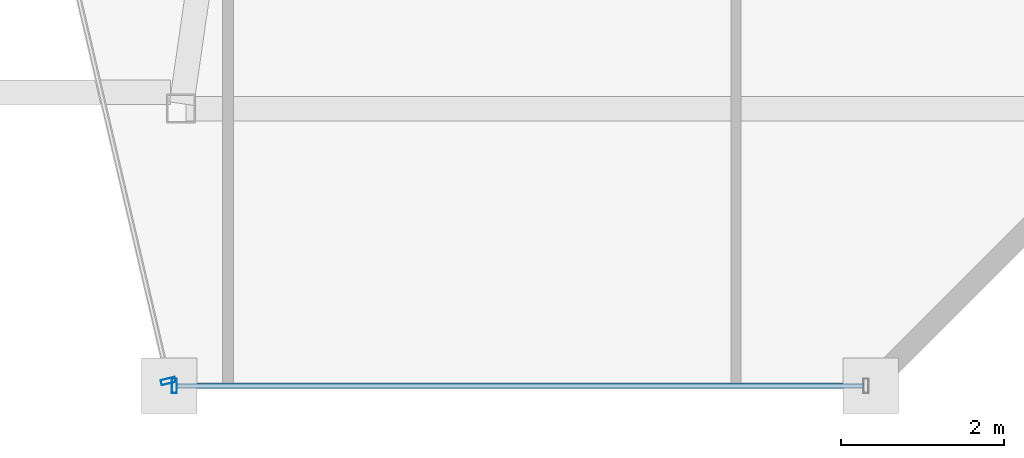
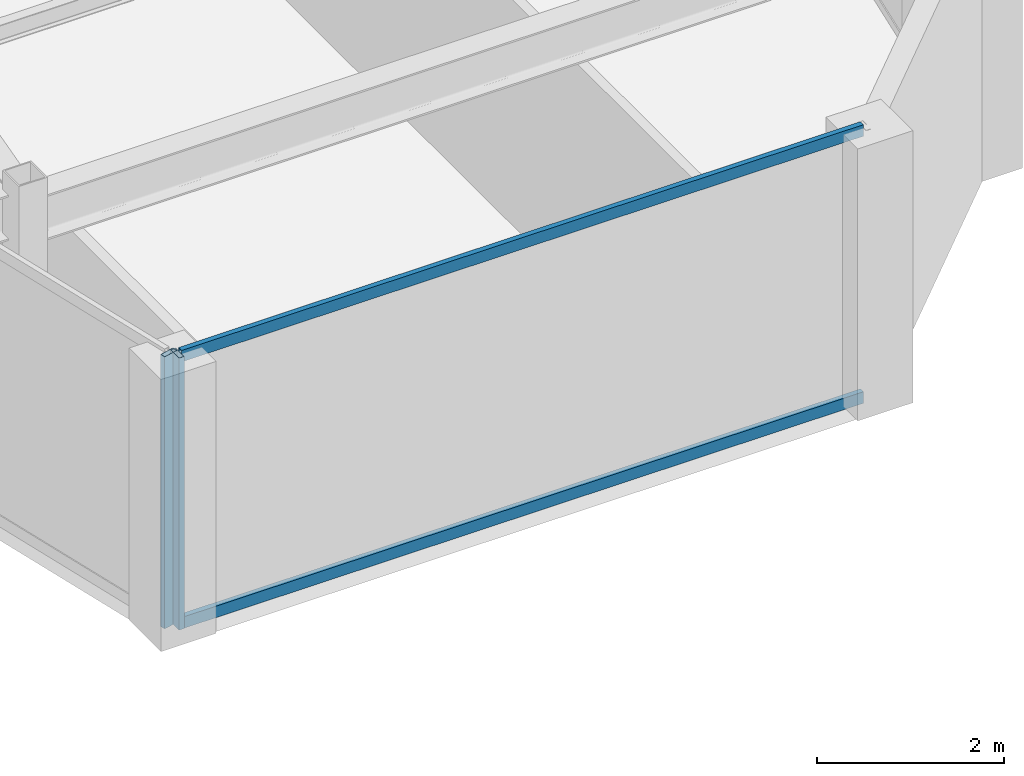
# One storey, part 12 of 32: 4 members, 2 elements without a shape of their own.
"""IFC4 building model written with IfcOpenShell, lengths in metres."""

from ifc_helpers import new_model, si_unit, direction, frame, origin, origin_2d, place, context, subcontext, project, spatial, hollow_rectangle, extrude, material, material_profile, profile_set, type_object, element, aggregate, save


model = new_model("IFC4")

# Units and contexts
model_context = context("Model", 3, precision=1e-05, world=origin(), true_north=direction((0.0, 1.0)))
body_context = subcontext(model_context, "Body", "Model", "MODEL_VIEW")
ifc_project = project(units=[si_unit("LENGTHUNIT", "METRE"), si_unit("AREAUNIT", "SQUARE_METRE"), si_unit("VOLUMEUNIT", "CUBIC_METRE"), si_unit("PLANEANGLEUNIT", "RADIAN"), si_unit("MASSUNIT", "GRAM", prefix="KILO")], contexts=[model_context])

# Site, building, storey
site_placement = place(None, origin())
site = spatial("IfcSite", under=ifc_project, at=site_placement, CompositionType="ELEMENT")
building_placement = place(site_placement, origin())
building = spatial("IfcBuilding", under=site, at=building_placement, Name="Saevonmaru Cultural Tower", CompositionType="ELEMENT")
storey_placement = place(building_placement, frame((0.0, 0.0, 261.0)))
storey = spatial("IfcBuildingStorey", under=building, at=storey_placement, Name="L61", CompositionType="ELEMENT", Elevation=261.0)

# Curtain wall, member
ifc_material = material(Name="Satin Bronze Anodised Aluminium", Category="aluminium")
curtain_wall_type = type_object("IfcCurtainWallType", Name="CW-TYP-B", PredefinedType="NOTDEFINED", material=ifc_material)
curtain_wall_1_placement = place(storey_placement, origin())
curtain_wall_1 = element("IfcCurtainWall", 1, at=curtain_wall_1_placement, inside=storey, type_object=curtain_wall_type, Name="L61 Unitised Curtain Wall E5", PredefinedType="NOTDEFINED")
ifc_material_profile_1 = material_profile(ifc_material, hollow_rectangle(XDim=0.06494140625, YDim=0.179931640625, WallThickness=0.00390625, at=origin_2d()), Name="ALU-MULL-180x65x4")
ifc_profile_set_1 = profile_set([ifc_material_profile_1], Name="Satin Bronze Anodised Aluminium")
member_type_1 = type_object("IfcMemberType", Name="ML-CW-180x65", PredefinedType="MULLION", material=ifc_profile_set_1)
member_1_placement = place(storey_placement, frame((39.390625, 22.8583984375, 0.0), z_axis=(0.0, 0.0, 1.0), x_axis=(0.228189509449, -0.973616735568, 0.0)))
member_1 = element("IfcMember", 2, at=member_1_placement, type_object=member_type_1, Name="CW-TW-L61-E5 mullion 2", PredefinedType="MULLION", context=body_context, shape_type="SweptSolid", body=[
    extrude(hollow_rectangle(XDim=0.06494140625, YDim=0.179931640625, WallThickness=0.00390625, at=origin_2d()), origin(), (0.0, 0.0, 1.0), 3.550048828125),
])
aggregate(curtain_wall_1, [member_1])

# Curtain wall, members
curtain_wall_2_placement = place(storey_placement, origin())
curtain_wall_2 = element("IfcCurtainWall", 3, at=curtain_wall_2_placement, inside=storey, type_object=curtain_wall_type, Name="L61 Unitised Curtain Wall E6", PredefinedType="NOTDEFINED")
member_2_placement = place(storey_placement, frame((39.46435546875, 22.800048828125, 0.0), z_axis=(0.0, 0.0, 1.0), x_axis=(1.0, 0.0, 0.0)))
member_2 = element("IfcMember", 4, at=member_2_placement, type_object=member_type_1, Name="CW-TW-L61-E6 mullion 1", PredefinedType="MULLION", context=body_context, shape_type="SweptSolid", body=[
    extrude(hollow_rectangle(XDim=0.06494140625, YDim=0.179931640625, WallThickness=0.00390625, at=origin_2d()), origin(), (0.0, 0.0, 1.0), 3.550048828125),
])
ifc_material_profile_2 = material_profile(ifc_material, hollow_rectangle(XDim=0.06494140625, YDim=0.14990234375, WallThickness=0.00390625, at=origin_2d()), Name="ALU-TRAN-150x65x4")
ifc_profile_set_2 = profile_set([ifc_material_profile_2], Name="Satin Bronze Anodised Aluminium")
member_type_2 = type_object("IfcMemberType", Name="TR-CW-150x65", PredefinedType="USERDEFINED", material=ifc_profile_set_2)
member_3_placement = place(storey_placement, frame((39.496826171875, 22.800048828125, 0.032470703125), z_axis=(1.0, 0.0, 0.0), x_axis=(0.0, 1.0, 0.0)))
member_3 = element("IfcMember", 5, at=member_3_placement, type_object=member_type_2, Name="CW-TW-L61-E6 transom 1.1", ObjectType="TRANSOM", PredefinedType="USERDEFINED", context=body_context, shape_type="SweptSolid", body=[
    extrude(hollow_rectangle(XDim=0.06494140625, YDim=0.14990234375, WallThickness=0.00390625, at=origin_2d()), origin(), (0.0, 0.0, 1.0), 8.4150390625),
])
member_4_placement = place(storey_placement, frame((39.496826171875, 22.800048828125, 3.517578125), z_axis=(1.0, 0.0, 0.0), x_axis=(0.0, 1.0, 0.0)))
member_4 = element("IfcMember", 6, at=member_4_placement, type_object=member_type_2, Name="CW-TW-L61-E6 transom 1.2", ObjectType="TRANSOM", PredefinedType="USERDEFINED", context=body_context, shape_type="SweptSolid", body=[
    extrude(hollow_rectangle(XDim=0.06494140625, YDim=0.14990234375, WallThickness=0.00390625, at=origin_2d()), origin(), (0.0, 0.0, 1.0), 8.4150390625),
])
aggregate(curtain_wall_2, [member_2, member_3, member_4])

save(model, "model.ifc")
